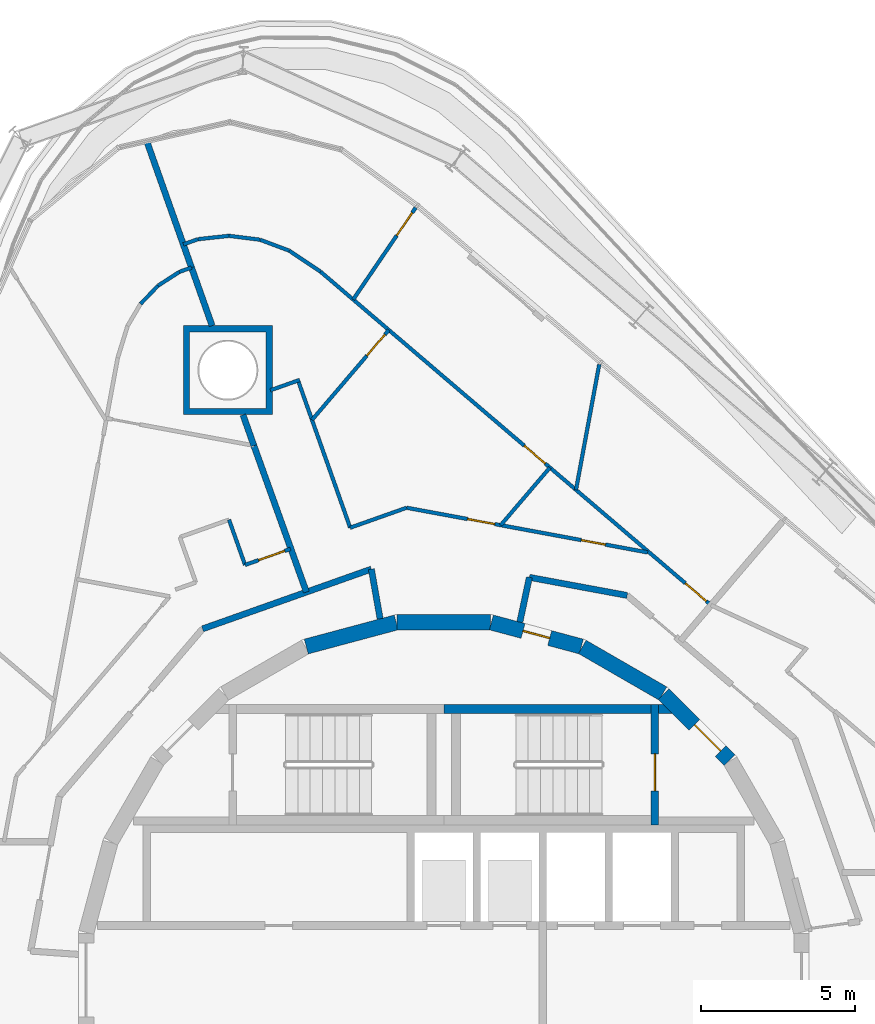
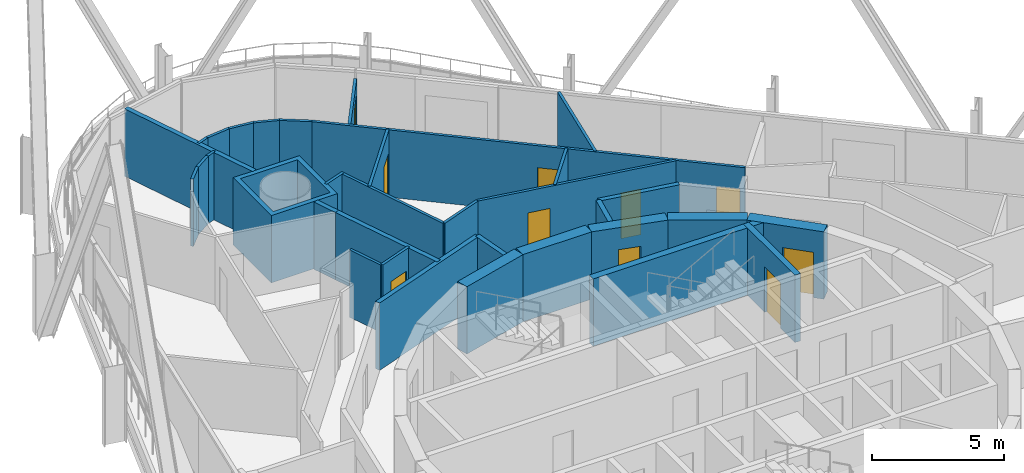
# One storey, part 15 of 25: 36 walls, 10 doors, 10 openings.
"""IFC4 building model written with IfcOpenShell, lengths in metres."""

from ifc_helpers import new_model, si_unit, direction, frame, frame_2d, origin, place, context, subcontext, project, spatial, polyline, rectangle, outline, extrude, material, layer, layer_set, type_object, element, fill, save


model = new_model("IFC4")

# Units and contexts
model_context = context("Model", 3, precision=1e-05, world=origin(), true_north=direction((0.0, 1.0)))
body_context = subcontext(model_context, "Body", "Model", "MODEL_VIEW")
ifc_project = project(units=[si_unit("LENGTHUNIT", "METRE"), si_unit("AREAUNIT", "SQUARE_METRE"), si_unit("VOLUMEUNIT", "CUBIC_METRE"), si_unit("PLANEANGLEUNIT", "RADIAN"), si_unit("MASSUNIT", "GRAM", prefix="KILO")], contexts=[model_context])

# Site, building, storey
site_placement = place(None, origin())
site = spatial("IfcSite", under=ifc_project, at=site_placement, CompositionType="ELEMENT")
building_placement = place(site_placement, origin())
building = spatial("IfcBuilding", under=site, at=building_placement, Name="Spindle Arch Residences", CompositionType="ELEMENT")
storey_placement = place(building_placement, frame((0.0, 0.0, 151.699951171875)))
storey = spatial("IfcBuildingStorey", under=building, at=storey_placement, Name="L37", CompositionType="ELEMENT", Elevation=151.699951171875)

# Wall, opening, door
ifc_material_1 = material(Name="Concrete C50/60", Category="concrete")
ifc_layer_1 = layer(ifc_material_1, 0.5)
ifc_layer_set_1 = layer_set([ifc_layer_1], Name="Core outline wall 500")
wall_type_1 = type_object("IfcWallType", Name="Core outline wall 500", PredefinedType="SHEAR", material=ifc_layer_set_1)
wall_1_placement = place(storey_placement, frame((9.30810546875, 7.163818359375, 0.0), z_axis=(0.0, 0.0, 1.0), x_axis=(-0.707106781187, 0.707106781187, 0.0)))
wall_1 = element("IfcWall", 1, at=wall_1_placement, inside=storey, type_object=wall_type_1, Name="Core outline wall 9", PredefinedType="SHEAR", context=body_context, shape_type="SweptSolid", body=[
    extrude(rectangle(XDim=3.032470703125, YDim=0.5, at=frame_2d((1.51611328125, 0.0))), origin(), (0.0, 0.0, 1.0), 3.1201171875),
])
opening_1_placement = place(wall_1_placement, frame((0.416259765625, 0.0, 0.0)))
opening_1 = element("IfcOpeningElement", 2, at=opening_1_placement, cuts=wall_1, Name="Opening R4A0-AD01", PredefinedType="OPENING", context=body_context, shape_type="SweptSolid", body=[
    extrude(rectangle(XDim=1.199951171875, YDim=2.10009765625, at=frame_2d((0.60009765625, 1.050048828125))), frame((0.0, 0.260009765625, 0.0), z_axis=(0.0, -1.0, 0.0), x_axis=(1.0, 0.0, 0.0)), (0.0, 0.0, 1.0), 0.52001953125),
])
ifc_material_2 = material(Name="Steel, fire-resisting door", Category="steel")
door_type_1 = type_object("IfcDoorType", Name="Stair airlock door 1200x2100", OperationType="SINGLE_SWING_LEFT", PredefinedType="DOOR", material=ifc_material_2)
door_1_placement = place(opening_1_placement, origin())
door_1 = element("IfcDoor", 3, at=door_1_placement, inside=storey, type_object=door_type_1, Name="Stair airlock door R4A0-AD01", OperationType="SINGLE_SWING_RIGHT", OverallHeight=2.10009765625, OverallWidth=1.199951171875, PredefinedType="DOOR", context=body_context, shape_type="SweptSolid", body=[
    extrude(rectangle(XDim=1.199951171875, YDim=2.10009765625, at=frame_2d((0.60009765625, 1.050048828125))), frame((0.0, 0.02490234375, 0.0), z_axis=(0.0, -1.0, 0.0), x_axis=(1.0, 0.0, 0.0)), (0.0, 0.0, 1.0), 0.050048828125),
])
fill(opening_1, door_1)

# Wall
wall_2_placement = place(storey_placement, frame((7.13671875, 9.32861328125, 0.0), z_axis=(0.0, 0.0, 1.0), x_axis=(-0.865975092491, 0.500087131594, 0.0)))
element("IfcWall", 4, at=wall_2_placement, inside=storey, type_object=wall_type_1, Name="Core outline wall 10", PredefinedType="SHEAR", context=body_context, shape_type="SweptSolid", body=[
    extrude(rectangle(XDim=3.03271484375, YDim=0.5, at=frame_2d((1.516357421875, 0.0))), origin(), (0.0, 0.0, 1.0), 3.1201171875),
])

# Wall, opening, door
wall_3_placement = place(storey_placement, frame((4.479248046875, 10.858154296875, 0.0), z_axis=(0.0, 0.0, 1.0), x_axis=(-0.965948410781, 0.258734743916, 0.0)))
wall_3 = element("IfcWall", 5, at=wall_3_placement, inside=storey, type_object=wall_type_1, Name="Core outline wall 11", PredefinedType="SHEAR", context=body_context, shape_type="SweptSolid", body=[
    extrude(rectangle(XDim=3.03271484375, YDim=0.5, at=frame_2d((1.516357421875, 0.0))), origin(), (0.0, 0.0, 1.0), 3.1201171875),
])
opening_2_placement = place(wall_3_placement, frame((1.066162109375, 0.0, 0.0)))
opening_2 = element("IfcOpeningElement", 6, at=opening_2_placement, cuts=wall_3, Name="Opening R4A0-WD11", PredefinedType="OPENING", context=body_context, shape_type="SweptSolid", body=[
    extrude(rectangle(XDim=0.89990234375, YDim=2.10009765625, at=frame_2d((0.449951171875, 1.050048828125))), frame((0.0, 0.260009765625, 0.0), z_axis=(0.0, -1.0, 0.0), x_axis=(1.0, 0.0, 0.0)), (0.0, 0.0, 1.0), 0.52001953125),
])
ifc_material_3 = material(Name="Steel, fire-resisting door", Category="steel")
door_type_2 = type_object("IfcDoorType", Name="Service room door 900x2100", OperationType="SINGLE_SWING_LEFT", PredefinedType="DOOR", material=ifc_material_3)
door_2_placement = place(opening_2_placement, origin())
door_2 = element("IfcDoor", 7, at=door_2_placement, inside=storey, type_object=door_type_2, Name="Service room door R4A0-WD11", OperationType="SINGLE_SWING_LEFT", OverallHeight=2.10009765625, OverallWidth=0.89990234375, PredefinedType="DOOR", context=body_context, shape_type="SweptSolid", body=[
    extrude(rectangle(XDim=0.89990234375, YDim=2.10009765625, at=frame_2d((0.449951171875, 1.050048828125))), frame((0.0, 0.02490234375, 0.0), z_axis=(0.0, -1.0, 0.0), x_axis=(1.0, 0.0, 0.0)), (0.0, 0.0, 1.0), 0.050048828125),
])
fill(opening_2, door_2)

# Walls
for number, where, z_axis, x_axis, name in (
    (8, (1.516357421875, 11.647216796875, 0.0), (0.0, 0.0, 1.0), (-1.0, 0.0, 0.0), "Core outline wall 12"),
    (9, (-1.5498046875, 11.642822265625, 0.0), (0.0, 0.0, 1.0), (-0.965948410781, -0.258734743916, 0.0), "Core outline wall 13"),
):
    element("IfcWall", number, at=place(storey_placement, frame(where, z_axis=z_axis, x_axis=x_axis)), inside=storey, type_object=wall_type_1, Name=name, PredefinedType="SHEAR", context=body_context, shape_type="SweptSolid", body=[
        extrude(rectangle(XDim=3.03271484375, YDim=0.5, at=frame_2d((1.516357421875, 0.0))), origin(), (0.0, 0.0, 1.0), 3.1201171875),
    ])
ifc_material_4 = material(Name="Calcium silicate block, plastered")
ifc_layer_2 = layer(ifc_material_4, 0.199951171875)
ifc_layer_set_2 = layer_set([ifc_layer_2], Name="Corridor wall 200")
wall_type_2 = type_object("IfcWallType", Name="Corridor wall 200", PredefinedType="STANDARD", material=ifc_layer_set_2)
wall_4_placement = place(storey_placement, frame((5.972412109375, 12.521240234375, 0.0), z_axis=(0.0, 0.0, 1.0), x_axis=(-0.983243002308, 0.182299748799, 0.0)))
element("IfcWall", 10, at=wall_4_placement, inside=storey, type_object=wall_type_2, Name="Corridor wall R4A0-W005", PredefinedType="STANDARD", context=body_context, shape_type="SweptSolid", body=[
    extrude(rectangle(XDim=3.239501953125, YDim=0.199951171875, at=frame_2d((1.61962890625, 0.0))), origin(), (0.0, 0.0, 1.0), 3.1201171875),
])
wall_5_placement = place(storey_placement, frame((2.787109375, 13.11181640625, 0.0), z_axis=(0.0, 0.0, 1.0), x_axis=(-0.207941001029, -0.978141370197, 0.0)))
element("IfcWall", 11, at=wall_5_placement, inside=storey, type_object=wall_type_2, Name="Corridor wall R4A0-W006", PredefinedType="STANDARD", context=body_context, shape_type="SweptSolid", body=[
    extrude(rectangle(XDim=1.4912109375, YDim=0.199951171875, at=frame_2d((0.74560546875, 0.0))), origin(), (0.0, 0.0, 1.0), 3.1201171875),
])
wall_6_placement = place(storey_placement, frame((-2.07373046875, 11.76123046875, 0.0), z_axis=(0.0, 0.0, 1.0), x_axis=(-0.1736412798, 0.984808969267, 0.0)))
element("IfcWall", 12, at=wall_6_placement, inside=storey, type_object=wall_type_2, Name="Corridor wall R4A0-W009", PredefinedType="STANDARD", context=body_context, shape_type="SweptSolid", body=[
    extrude(rectangle(XDim=1.6435546875, YDim=0.199951171875, at=frame_2d((0.82177734375, 0.0))), origin(), (0.0, 0.0, 1.0), 3.1201171875),
])
wall_7_placement = place(storey_placement, frame((-2.359130859375, 13.3798828125, 0.0), z_axis=(0.0, 0.0, 1.0), x_axis=(-0.942647529236, -0.333789807551, 0.0)))
element("IfcWall", 13, at=wall_7_placement, inside=storey, type_object=wall_type_2, Name="Corridor wall R4A0-W010", PredefinedType="STANDARD", context=body_context, shape_type="SweptSolid", body=[
    extrude(rectangle(XDim=5.8330078125, YDim=0.199951171875, at=frame_2d((2.91650390625, 0.0))), origin(), (0.0, 0.0, 1.0), 3.1201171875),
])

# Wall, openings, doors
ifc_material_5 = material(Name="Plasterboard on steel studs", Category="steel")
ifc_layer_3 = layer(ifc_material_5, 0.1201171875)
ifc_layer_set_3 = layer_set([ifc_layer_3], Name="Flat partition 120")
wall_type_3 = type_object("IfcWallType", Name="Flat partition 120", PredefinedType="PARTITIONING", material=ifc_layer_set_3)
wall_8_placement = place(storey_placement, frame((8.701904296875, 12.205810546875, 0.0), z_axis=(0.0, 0.0, 1.0), x_axis=(-0.760401313718, 0.649453494945, 0.0)))
wall_8 = element("IfcWall", 14, at=wall_8_placement, inside=storey, type_object=wall_type_3, Name="Flat partition R4A0-W054", PredefinedType="PARTITIONING", context=body_context, shape_type="SweptSolid", body=[
    extrude(rectangle(XDim=16.723876953125, YDim=0.1201171875, at=frame_2d((8.36181640625, 0.0))), origin(), (0.0, 0.0, 1.0), 3.1201171875),
])
opening_3_placement = place(wall_8_placement, frame((0.199951171875, 0.0, 0.0)))
opening_3 = element("IfcOpeningElement", 15, at=opening_3_placement, cuts=wall_8, Name="Opening R4A0-ID06", PredefinedType="OPENING", context=body_context, shape_type="SweptSolid", body=[
    extrude(rectangle(XDim=0.89990234375, YDim=2.10009765625, at=frame_2d((0.449951171875, 1.050048828125))), frame((0.0, 0.070068359375, 0.0), z_axis=(0.0, -1.0, 0.0), x_axis=(1.0, 0.0, 0.0)), (0.0, 0.0, 1.0), 0.14013671875),
])
opening_4_placement = place(wall_8_placement, frame((7.09912109375, 0.0, 0.0)))
opening_4 = element("IfcOpeningElement", 16, at=opening_4_placement, cuts=wall_8, Name="Opening R4A0-ID08", PredefinedType="OPENING", context=body_context, shape_type="SweptSolid", body=[
    extrude(rectangle(XDim=0.89990234375, YDim=2.10009765625, at=frame_2d((0.449951171875, 1.050048828125))), frame((0.0, 0.070068359375, 0.0), z_axis=(0.0, -1.0, 0.0), x_axis=(1.0, 0.0, 0.0)), (0.0, 0.0, 1.0), 0.14013671875),
])
ifc_material_6 = material(Name="Timber door set", Category="wood")
door_type_3 = type_object("IfcDoorType", Name="Room door 900x2100", OperationType="NOTDEFINED", PredefinedType="DOOR", material=ifc_material_6)
door_3_placement = place(opening_3_placement, origin())
door_3 = element("IfcDoor", 17, at=door_3_placement, inside=storey, type_object=door_type_3, Name="Room door R4A0-ID06", OperationType="SINGLE_SWING_RIGHT", OverallHeight=2.10009765625, OverallWidth=0.89990234375, PredefinedType="DOOR", context=body_context, shape_type="SweptSolid", body=[
    extrude(rectangle(XDim=0.89990234375, YDim=2.10009765625, at=frame_2d((0.449951171875, 1.050048828125))), frame((0.0, 0.02490234375, 0.0), z_axis=(0.0, -1.0, 0.0), x_axis=(1.0, 0.0, 0.0)), (0.0, 0.0, 1.0), 0.050048828125),
])
fill(opening_3, door_3)
door_4_placement = place(opening_4_placement, origin())
door_4 = element("IfcDoor", 18, at=door_4_placement, inside=storey, type_object=door_type_3, Name="Room door R4A0-ID08", OperationType="SINGLE_SWING_RIGHT", OverallHeight=2.10009765625, OverallWidth=0.89990234375, PredefinedType="DOOR", context=body_context, shape_type="SweptSolid", body=[
    extrude(rectangle(XDim=0.89990234375, YDim=2.10009765625, at=frame_2d((0.449951171875, 1.050048828125))), frame((0.0, 0.02490234375, 0.0), z_axis=(0.0, -1.0, 0.0), x_axis=(1.0, 0.0, 0.0)), (0.0, 0.0, 1.0), 0.050048828125),
])
fill(opening_4, door_4)

wall_9_placement = place(storey_placement, frame((6.640869140625, 13.9228515625, 0.0), z_axis=(0.0, 0.0, 1.0), x_axis=(-0.983250157272, 0.182261153912, 0.0)))
wall_9 = element("IfcWall", 19, at=wall_9_placement, inside=storey, type_object=wall_type_3, Name="Flat partition R4A0-W055", PredefinedType="PARTITIONING", context=body_context, shape_type="SweptSolid", body=[
    extrude(rectangle(XDim=7.98486328125, YDim=0.1201171875, at=frame_2d((3.992431640625, 0.0))), origin(), (0.0, 0.0, 1.0), 3.1201171875),
])
opening_5_placement = place(wall_9_placement, frame((1.39990234375, 0.0, 0.0)))
opening_5 = element("IfcOpeningElement", 20, at=opening_5_placement, cuts=wall_9, Name="Opening R4A0-BD02", PredefinedType="OPENING", context=body_context, shape_type="SweptSolid", body=[
    extrude(rectangle(XDim=0.800048828125, YDim=2.10009765625, at=frame_2d((0.39990234375, 1.050048828125))), frame((0.0, 0.070068359375, 0.0), z_axis=(0.0, -1.0, 0.0), x_axis=(1.0, 0.0, 0.0)), (0.0, 0.0, 1.0), 0.14013671875),
])
opening_6_placement = place(wall_9_placement, frame((5.06884765625, 0.0, 0.0)))
opening_6 = element("IfcOpeningElement", 21, at=opening_6_placement, cuts=wall_9, Name="Opening R4A0-ID07", PredefinedType="OPENING", context=body_context, shape_type="SweptSolid", body=[
    extrude(rectangle(XDim=0.89990234375, YDim=2.10009765625, at=frame_2d((0.449951171875, 1.050048828125))), frame((0.0, 0.070068359375, 0.0), z_axis=(0.0, -1.0, 0.0), x_axis=(1.0, 0.0, 0.0)), (0.0, 0.0, 1.0), 0.14013671875),
])
ifc_material_7 = material(Name="Timber door set", Category="wood")
door_type_4 = type_object("IfcDoorType", Name="Bathroom door 800x2100", OperationType="NOTDEFINED", PredefinedType="DOOR", material=ifc_material_7)
door_5_placement = place(opening_5_placement, origin())
door_5 = element("IfcDoor", 22, at=door_5_placement, inside=storey, type_object=door_type_4, Name="Bathroom door R4A0-BD02", OperationType="SINGLE_SWING_RIGHT", OverallHeight=2.10009765625, OverallWidth=0.800048828125, PredefinedType="DOOR", context=body_context, shape_type="SweptSolid", body=[
    extrude(rectangle(XDim=0.800048828125, YDim=2.10009765625, at=frame_2d((0.39990234375, 1.050048828125))), frame((0.0, 0.02490234375, 0.0), z_axis=(0.0, -1.0, 0.0), x_axis=(1.0, 0.0, 0.0)), (0.0, 0.0, 1.0), 0.050048828125),
])
fill(opening_5, door_5)
door_6_placement = place(opening_6_placement, origin())
door_6 = element("IfcDoor", 23, at=door_6_placement, inside=storey, type_object=door_type_3, Name="Room door R4A0-ID07", OperationType="SINGLE_SWING_RIGHT", OverallHeight=2.10009765625, OverallWidth=0.89990234375, PredefinedType="DOOR", context=body_context, shape_type="SweptSolid", body=[
    extrude(rectangle(XDim=0.89990234375, YDim=2.10009765625, at=frame_2d((0.449951171875, 1.050048828125))), frame((0.0, 0.02490234375, 0.0), z_axis=(0.0, -1.0, 0.0), x_axis=(1.0, 0.0, 0.0)), (0.0, 0.0, 1.0), 0.050048828125),
])
fill(opening_6, door_6)

# Walls
wall_10_placement = place(storey_placement, frame((-1.210205078125, 15.378173828125, 0.0), z_axis=(0.0, 0.0, 1.0), x_axis=(-0.942633792474, -0.333828598663, 0.0)))
element("IfcWall", 24, at=wall_10_placement, inside=storey, type_object=wall_type_3, Name="Flat partition R4A0-W056", PredefinedType="PARTITIONING", context=body_context, shape_type="SweptSolid", body=[
    extrude(rectangle(XDim=1.94970703125, YDim=0.1201171875, at=frame_2d((0.974853515625, 0.0))), origin(), (0.0, 0.0, 1.0), 3.1201171875),
])
wall_11_placement = place(storey_placement, frame((-3.048095703125, 14.727294921875, 0.0), z_axis=(0.0, 0.0, 1.0), x_axis=(-0.333811603187, 0.942639811157, 0.0)))
element("IfcWall", 25, at=wall_11_placement, inside=storey, type_object=wall_type_3, Name="Flat partition R4A0-W057", PredefinedType="PARTITIONING", context=body_context, shape_type="SweptSolid", body=[
    extrude(rectangle(XDim=5.086669921875, YDim=0.1201171875, at=frame_2d((2.54345703125, 0.0))), origin(), (0.0, 0.0, 1.0), 3.1201171875),
])
wall_12_placement = place(storey_placement, frame((-4.689453125, 19.5419921875, 0.0), z_axis=(0.0, 0.0, 1.0), x_axis=(-0.942661851862, -0.33374935662, 0.0)))
element("IfcWall", 26, at=wall_12_placement, inside=storey, type_object=wall_type_3, Name="Flat partition R4A0-W058", PredefinedType="PARTITIONING", context=body_context, shape_type="SweptSolid", body=[
    extrude(rectangle(XDim=1.016845703125, YDim=0.1201171875, at=frame_2d((0.50830078125, 0.0))), origin(), (0.0, 0.0, 1.0), 3.1201171875),
])
wall_13_placement = place(storey_placement, frame((5.063232421875, 20.048095703125, 0.0), z_axis=(0.0, 0.0, 1.0), x_axis=(-0.182238575099, -0.983254342348, 0.0)))
element("IfcWall", 27, at=wall_13_placement, inside=storey, type_object=wall_type_3, Name="Flat partition R4A0-W059", PredefinedType="PARTITIONING", context=body_context, shape_type="SweptSolid", body=[
    extrude(rectangle(XDim=4.156982421875, YDim=0.1201171875, at=frame_2d((2.07861328125, 0.0))), origin(), (0.0, 0.0, 1.0), 3.1201171875),
])
wall_14_placement = place(storey_placement, frame((3.455810546875, 16.686279296875, 0.0), z_axis=(0.0, 0.0, 1.0), x_axis=(-0.649462010463, -0.760394040591, 0.0)))
element("IfcWall", 28, at=wall_14_placement, inside=storey, type_object=wall_type_3, Name="Flat partition R4A0-W060", PredefinedType="PARTITIONING", context=body_context, shape_type="SweptSolid", body=[
    extrude(rectangle(XDim=2.467041015625, YDim=0.1201171875, at=frame_2d((1.2333984375, 0.0))), origin(), (0.0, 0.0, 1.0), 3.1201171875),
])

# Wall, opening, door
wall_15_placement = place(storey_placement, frame((-1.790283203125, 21.1669921875, 0.0), z_axis=(0.0, 0.0, 1.0), x_axis=(-0.649427819186, -0.760423242456, 0.0)))
wall_15 = element("IfcWall", 29, at=wall_15_placement, inside=storey, type_object=wall_type_3, Name="Flat partition R4A0-W062", PredefinedType="PARTITIONING", context=body_context, shape_type="SweptSolid", body=[
    extrude(rectangle(XDim=3.851318359375, YDim=0.1201171875, at=frame_2d((1.92578125, 0.0))), origin(), (0.0, 0.0, 1.0), 3.1201171875),
])
opening_7_placement = place(wall_15_placement, frame((0.199951171875, 0.0, 0.0)))
opening_7 = element("IfcOpeningElement", 30, at=opening_7_placement, cuts=wall_15, Name="Opening R4A0-ID09", PredefinedType="OPENING", context=body_context, shape_type="SweptSolid", body=[
    extrude(rectangle(XDim=0.89990234375, YDim=2.10009765625, at=frame_2d((0.449951171875, 1.050048828125))), frame((0.0, 0.070068359375, 0.0), z_axis=(0.0, -1.0, 0.0), x_axis=(1.0, 0.0, 0.0)), (0.0, 0.0, 1.0), 0.14013671875),
])
door_7_placement = place(opening_7_placement, origin())
door_7 = element("IfcDoor", 31, at=door_7_placement, inside=storey, type_object=door_type_3, Name="Room door R4A0-ID09", OperationType="SINGLE_SWING_RIGHT", OverallHeight=2.10009765625, OverallWidth=0.89990234375, PredefinedType="DOOR", context=body_context, shape_type="SweptSolid", body=[
    extrude(rectangle(XDim=0.89990234375, YDim=2.10009765625, at=frame_2d((0.449951171875, 1.050048828125))), frame((0.0, 0.02490234375, 0.0), z_axis=(0.0, -1.0, 0.0), x_axis=(1.0, 0.0, 0.0)), (0.0, 0.0, 1.0), 0.050048828125),
])
fill(opening_7, door_7)

# Walls
wall_16_placement = place(storey_placement, frame((-8.482666015625, 23.9541015625, 0.0), z_axis=(0.0, 0.0, 1.0), x_axis=(0.942554725445, 0.334051776738, 0.0)))
element("IfcWall", 32, at=wall_16_placement, inside=storey, type_object=wall_type_3, Name="Flat partition R4A0-W063", PredefinedType="PARTITIONING", context=body_context, shape_type="SweptSolid", body=[
    extrude(rectangle(XDim=0.508056640625, YDim=0.1201171875, at=frame_2d((0.25390625, 0.0))), origin(), (0.0, 0.0, 1.0), 3.1201171875),
])
wall_17_placement = place(storey_placement, frame((-8.00390625, 24.123779296875, 0.0), z_axis=(0.0, 0.0, 1.0), x_axis=(0.994216064839, 0.107398400431, 0.0)))
element("IfcWall", 33, at=wall_17_placement, inside=storey, type_object=wall_type_3, Name="Flat partition R4A0-W064", PredefinedType="PARTITIONING", context=body_context, shape_type="SweptSolid", body=[
    extrude(rectangle(XDim=1.01611328125, YDim=0.1201171875, at=frame_2d((0.508056640625, 0.0))), origin(), (0.0, 0.0, 1.0), 3.1201171875),
])
wall_18_placement = place(storey_placement, frame((-6.99365234375, 24.23291015625, 0.0), z_axis=(0.0, 0.0, 1.0), x_axis=(0.992188875952, -0.124744676991, 0.0)))
element("IfcWall", 34, at=wall_18_placement, inside=storey, type_object=wall_type_3, Name="Flat partition R4A0-W065", PredefinedType="PARTITIONING", context=body_context, shape_type="SweptSolid", body=[
    extrude(rectangle(XDim=1.015625, YDim=0.1201171875, at=frame_2d((0.5078125, 0.0))), origin(), (0.0, 0.0, 1.0), 3.1201171875),
])
wall_19_placement = place(storey_placement, frame((-5.98583984375, 24.106201171875, 0.0), z_axis=(0.0, 0.0, 1.0), x_axis=(0.936625084254, -0.350333343469, 0.0)))
element("IfcWall", 35, at=wall_19_placement, inside=storey, type_object=wall_type_3, Name="Flat partition R4A0-W066", PredefinedType="PARTITIONING", context=body_context, shape_type="SweptSolid", body=[
    extrude(rectangle(XDim=1.01611328125, YDim=0.1201171875, at=frame_2d((0.508056640625, 0.0))), origin(), (0.0, 0.0, 1.0), 3.1201171875),
])
wall_20_placement = place(storey_placement, frame((-5.0341796875, 23.750244140625, 0.0), z_axis=(0.0, 0.0, 1.0), x_axis=(0.83070096574, -0.556718874764, 0.0)))
element("IfcWall", 36, at=wall_20_placement, inside=storey, type_object=wall_type_3, Name="Flat partition R4A0-W067", PredefinedType="PARTITIONING", context=body_context, shape_type="SweptSolid", body=[
    extrude(rectangle(XDim=1.22705078125, YDim=0.1201171875, at=frame_2d((0.613525390625, 0.0))), origin(), (0.0, 0.0, 1.0), 3.1201171875),
])

# Wall, opening, door
wall_21_placement = place(storey_placement, frame((-4.993408203125, 14.038330078125, 0.0), z_axis=(0.0, 0.0, 1.0), x_axis=(-0.942685371668, -0.333682918418, 0.0)))
wall_21 = element("IfcWall", 37, at=wall_21_placement, inside=storey, type_object=wall_type_3, Name="Flat partition R4A0-W068", PredefinedType="PARTITIONING", context=body_context, shape_type="SweptSolid", body=[
    extrude(rectangle(XDim=1.568603515625, YDim=0.1201171875, at=frame_2d((0.7841796875, 0.0))), origin(), (0.0, 0.0, 1.0), 3.1201171875),
])
opening_8_placement = place(wall_21_placement, frame((0.199951171875, 0.0, 0.0)))
opening_8 = element("IfcOpeningElement", 38, at=opening_8_placement, cuts=wall_21, Name="Opening R4A0-ID11", PredefinedType="OPENING", context=body_context, shape_type="SweptSolid", body=[
    extrude(rectangle(XDim=0.89990234375, YDim=2.10009765625, at=frame_2d((0.449951171875, 1.050048828125))), frame((0.0, 0.070068359375, 0.0), z_axis=(0.0, -1.0, 0.0), x_axis=(1.0, 0.0, 0.0)), (0.0, 0.0, 1.0), 0.14013671875),
])
door_8_placement = place(opening_8_placement, origin())
door_8 = element("IfcDoor", 39, at=door_8_placement, inside=storey, type_object=door_type_3, Name="Room door R4A0-ID11", OperationType="SINGLE_SWING_LEFT", OverallHeight=2.10009765625, OverallWidth=0.89990234375, PredefinedType="DOOR", context=body_context, shape_type="SweptSolid", body=[
    extrude(rectangle(XDim=0.89990234375, YDim=2.10009765625, at=frame_2d((0.449951171875, 1.050048828125))), frame((0.0, 0.02490234375, 0.0), z_axis=(0.0, -1.0, 0.0), x_axis=(1.0, 0.0, 0.0)), (0.0, 0.0, 1.0), 0.050048828125),
])
fill(opening_8, door_8)

# Walls
wall_22_placement = place(storey_placement, frame((-6.47216796875, 13.514892578125, 0.0), z_axis=(0.0, 0.0, 1.0), x_axis=(-0.333809516424, 0.942640550127, 0.0)))
element("IfcWall", 40, at=wall_22_placement, inside=storey, type_object=wall_type_3, Name="Flat partition R4A0-W069", PredefinedType="PARTITIONING", context=body_context, shape_type="SweptSolid", body=[
    extrude(rectangle(XDim=1.5615234375, YDim=0.1201171875, at=frame_2d((0.78076171875, 0.0))), origin(), (0.0, 0.0, 1.0), 3.1201171875),
])
wall_23_placement = place(storey_placement, frame((-8.215576171875, 23.2001953125, 0.0), z_axis=(0.0, 0.0, 1.0), x_axis=(-0.942565413363, -0.33402161836, 0.0)))
element("IfcWall", 41, at=wall_23_placement, inside=storey, type_object=wall_type_3, Name="Flat partition R4A0-W075", PredefinedType="PARTITIONING", context=body_context, shape_type="SweptSolid", body=[
    extrude(rectangle(XDim=0.414306640625, YDim=0.1201171875, at=frame_2d((0.20703125, 0.0))), origin(), (0.0, 0.0, 1.0), 3.1201171875),
])
for number, where, z_axis, x_axis, name in (
    (42, (-8.606201171875, 23.061767578125, 0.0), (0.0, 0.0, 1.0), (-0.840249037985, -0.542200658581, 0.0), "Flat partition R4A0-W076"),
    (43, (-9.302734375, 22.6123046875, 0.0), (0.0, 0.0, 1.0), (-0.692525696474, -0.721393207428, 0.0), "Flat partition R4A0-W077"),
):
    element("IfcWall", number, at=place(storey_placement, frame(where, z_axis=z_axis, x_axis=x_axis)), inside=storey, type_object=wall_type_3, Name=name, PredefinedType="PARTITIONING", context=body_context, shape_type="SweptSolid", body=[
        extrude(rectangle(XDim=0.828857421875, YDim=0.1201171875, at=frame_2d((0.41455078125, 0.0))), origin(), (0.0, 0.0, 1.0), 3.1201171875),
    ])

# Wall, opening, door
ifc_material_8 = material(Name="Plasterboard on steel studs", Category="steel")
ifc_layer_4 = layer(ifc_material_8, 0.1201171875)
ifc_layer_set_4 = layer_set([ifc_layer_4], Name="Flat partition 120 under beam 2730")
wall_type_4 = type_object("IfcWallType", Name="Flat partition 120 under beam 2730", PredefinedType="PARTITIONING", material=ifc_layer_set_4)
wall_24_placement = place(storey_placement, frame((-0.913818359375, 25.152587890625, 0.0), z_axis=(0.0, 0.0, 1.0), x_axis=(-0.56264004133, -0.826701992191, 0.0)))
wall_24 = element("IfcWall", 44, at=wall_24_placement, inside=storey, type_object=wall_type_4, Name="Flat partition R4A0-W061", PredefinedType="PARTITIONING", context=body_context, shape_type="SweptSolid", body=[
    extrude(rectangle(XDim=3.62158203125, YDim=0.1201171875, at=frame_2d((1.810791015625, 0.0))), origin(), (0.0, 0.0, 1.0), 2.72998046875),
])
opening_9_placement = place(wall_24_placement, frame((0.199951171875, 0.0, 0.0)))
opening_9 = element("IfcOpeningElement", 45, at=opening_9_placement, cuts=wall_24, Name="Opening R4A0-ID10", PredefinedType="OPENING", context=body_context, shape_type="SweptSolid", body=[
    extrude(rectangle(XDim=0.89990234375, YDim=2.10009765625, at=frame_2d((0.449951171875, 1.050048828125))), frame((0.0, 0.070068359375, 0.0), z_axis=(0.0, -1.0, 0.0), x_axis=(1.0, 0.0, 0.0)), (0.0, 0.0, 1.0), 0.14013671875),
])
door_9_placement = place(opening_9_placement, origin())
door_9 = element("IfcDoor", 46, at=door_9_placement, inside=storey, type_object=door_type_3, Name="Room door R4A0-ID10", OperationType="SINGLE_SWING_RIGHT", OverallHeight=2.10009765625, OverallWidth=0.89990234375, PredefinedType="DOOR", context=body_context, shape_type="SweptSolid", body=[
    extrude(rectangle(XDim=0.89990234375, YDim=2.10009765625, at=frame_2d((0.449951171875, 1.050048828125))), frame((0.0, 0.02490234375, 0.0), z_axis=(0.0, -1.0, 0.0), x_axis=(1.0, 0.0, 0.0)), (0.0, 0.0, 1.0), 0.050048828125),
])
fill(opening_9, door_9)

# Walls
ifc_material_9 = material(Name="Calcium silicate block, plastered")
ifc_layer_5 = layer(ifc_material_9, 0.199951171875)
ifc_layer_set_5 = layer_set([ifc_layer_5], Name="Flat party wall 200")
wall_type_5 = type_object("IfcWallType", Name="Flat party wall 200", PredefinedType="STANDARD", material=ifc_layer_set_5)
wall_25_placement = place(storey_placement, frame((-6.1845703125, 17.401611328125, 0.0), z_axis=(0.0, 0.0, 1.0), x_axis=(0.337736730281, -0.941240618024, 0.0)))
element("IfcWall", 47, at=wall_25_placement, inside=storey, type_object=wall_type_5, Name="Flat party wall R4A0-W030", PredefinedType="STANDARD", context=body_context, shape_type="SweptSolid", body=[
    extrude(rectangle(XDim=5.068115234375, YDim=0.199951171875, at=frame_2d((2.5341796875, 0.0))), origin(), (0.0, 0.0, 1.0), 3.1201171875),
])
wall_26_placement = place(storey_placement, frame((-6.538818359375, 18.402587890625, 0.0), z_axis=(0.0, 0.0, 1.0), x_axis=(0.333625806098, -0.942705585804, 0.0)))
element("IfcWall", 48, at=wall_26_placement, inside=storey, type_object=wall_type_5, Name="Flat party wall R4A0-W031", PredefinedType="STANDARD", context=body_context, shape_type="SweptSolid", body=[
    extrude(rectangle(XDim=1.061767578125, YDim=0.199951171875, at=frame_2d((0.53076171875, 0.0))), origin(), (0.0, 0.0, 1.0), 3.1201171875),
])
wall_27_placement = place(storey_placement, frame((-9.684326171875, 27.34765625, 0.0), z_axis=(0.0, 0.0, 1.0), x_axis=(0.333818381408, -0.942637410797, 0.0)))
element("IfcWall", 49, at=wall_27_placement, inside=storey, type_object=wall_type_5, Name="Flat party wall R4A0-W032", PredefinedType="STANDARD", context=body_context, shape_type="SweptSolid", body=[
    extrude(rectangle(XDim=4.39990234375, YDim=0.199951171875, at=frame_2d((2.199951171875, 0.0))), origin(), (0.0, 0.0, 1.0), 3.1201171875),
])
wall_28_placement = place(storey_placement, frame((-8.215576171875, 23.2001953125, 0.0), z_axis=(0.0, 0.0, 1.0), x_axis=(0.333793117913, -0.942646357036, 0.0)))
element("IfcWall", 50, at=wall_28_placement, inside=storey, type_object=wall_type_5, Name="Flat party wall R4A0-W033", PredefinedType="STANDARD", context=body_context, shape_type="SweptSolid", body=[
    extrude(rectangle(XDim=2.0078125, YDim=0.199951171875, at=frame_2d((1.00390625, 0.0))), origin(), (0.0, 0.0, 1.0), 3.1201171875),
])
ifc_material_10 = material(Name="Calcium silicate block, plastered")
ifc_layer_6 = layer(ifc_material_10, 0.199951171875)
ifc_layer_set_6 = layer_set([ifc_layer_6], Name="Mega-column casing wall 200")
wall_type_6 = type_object("IfcWallType", Name="Mega-column casing wall 200", PredefinedType="STANDARD", material=ifc_layer_set_6)
wall_29_placement = place(storey_placement, origin())
element("IfcWall", 51, at=wall_29_placement, inside=storey, type_object=wall_type_6, Name="Mega-column casing wall R4A0-WC01", PredefinedType="STANDARD", context=body_context, shape_type="SweptSolid", body=[
    extrude(outline(polyline([(-5.581787109375, 21.3076171875), (-5.581787109375, 18.40771484375), (-8.48193359375, 18.40771484375), (-8.48193359375, 21.3076171875), (-5.581787109375, 21.3076171875)]), holes=[polyline([(-8.281982421875, 18.607666015625), (-5.781982421875, 18.607666015625), (-5.781982421875, 21.107666015625), (-8.281982421875, 21.107666015625), (-8.281982421875, 18.607666015625)])]), origin(), (0.0, 0.0, 1.0), 3.1201171875),
])
ifc_material_11 = material(Name="Concrete C40/50", Category="concrete")
wall_type_7 = type_object("IfcWallType", Name="Stair airlock wall profile", PredefinedType="SHEAR", material=ifc_material_11)
wall_30_placement = place(storey_placement, origin())
element("IfcWall", 52, at=wall_30_placement, inside=storey, type_object=wall_type_7, Name="Stair ST-1 airlock wall N", PredefinedType="SHEAR", context=body_context, shape_type="SweptSolid", body=[
    extrude(outline(polyline([(7.4482421875, 8.669921875), (7.0, 8.669921875), (7.0, 8.969970703125), (7.148193359375, 8.969970703125), (7.4482421875, 8.669921875)])), origin(), (0.0, 0.0, 1.0), 3.1201171875),
])

# Wall, opening, door
ifc_material_12 = material(Name="Concrete C50/60", Category="concrete")
ifc_layer_7 = layer(ifc_material_12, 0.25)
ifc_layer_set_7 = layer_set([ifc_layer_7], Name="Stair enclosure wall 250")
wall_type_8 = type_object("IfcWallType", Name="Stair enclosure wall 250", PredefinedType="SHEAR", material=ifc_layer_set_7)
wall_31_placement = place(storey_placement, frame((6.875, 5.050048828125, 0.0), z_axis=(0.0, 0.0, 1.0), x_axis=(0.0, 1.0, 0.0)))
wall_31 = element("IfcWall", 53, at=wall_31_placement, inside=storey, type_object=wall_type_8, Name="Stair ST-1 door wall", PredefinedType="SHEAR", context=body_context, shape_type="SweptSolid", body=[
    extrude(rectangle(XDim=3.919921875, YDim=0.25, at=frame_2d((1.9599609375, 0.0))), origin(), (0.0, 0.0, 1.0), 3.1201171875),
])
opening_10_placement = place(wall_31_placement, frame((1.110107421875, 0.0, 0.0)))
opening_10 = element("IfcOpeningElement", 54, at=opening_10_placement, cuts=wall_31, Name="Opening R4A0-SD01", PredefinedType="OPENING", context=body_context, shape_type="SweptSolid", body=[
    extrude(rectangle(XDim=1.199951171875, YDim=2.10009765625, at=frame_2d((0.60009765625, 1.050048828125))), frame((0.0, 0.135009765625, 0.0), z_axis=(0.0, -1.0, 0.0), x_axis=(1.0, 0.0, 0.0)), (0.0, 0.0, 1.0), 0.27001953125),
])
ifc_material_13 = material(Name="Steel, fire-resisting door", Category="steel")
door_type_5 = type_object("IfcDoorType", Name="Stair door 1200x2100", OperationType="SINGLE_SWING_RIGHT", PredefinedType="DOOR", material=ifc_material_13)
door_10_placement = place(opening_10_placement, origin())
door_10 = element("IfcDoor", 55, at=door_10_placement, inside=storey, type_object=door_type_5, Name="Stair door R4A0-SD01", OperationType="SINGLE_SWING_LEFT", OverallHeight=2.10009765625, OverallWidth=1.199951171875, PredefinedType="DOOR", context=body_context, shape_type="SweptSolid", body=[
    extrude(rectangle(XDim=1.199951171875, YDim=2.10009765625, at=frame_2d((0.60009765625, 1.050048828125))), frame((0.0, 0.02490234375, 0.0), z_axis=(0.0, -1.0, 0.0), x_axis=(1.0, 0.0, 0.0)), (0.0, 0.0, 1.0), 0.050048828125),
])
fill(opening_10, door_10)

# Wall
ifc_material_14 = material(Name="Concrete C50/60", Category="concrete")
ifc_layer_8 = layer(ifc_material_14, 0.300048828125)
ifc_layer_set_8 = layer_set([ifc_layer_8], Name="Stair enclosure wall 300")
wall_type_9 = type_object("IfcWallType", Name="Stair enclosure wall 300", PredefinedType="SHEAR", material=ifc_layer_set_8)
wall_32_placement = place(storey_placement, frame((0.0, 8.820068359375, 0.0), z_axis=(0.0, 0.0, 1.0), x_axis=(1.0, 0.0, 0.0)))
element("IfcWall", 56, at=wall_32_placement, inside=storey, type_object=wall_type_9, Name="Stair ST-1 enclosure wall N", PredefinedType="SHEAR", context=body_context, shape_type="SweptSolid", body=[
    extrude(rectangle(XDim=6.75, YDim=0.300048828125, at=frame_2d((3.375, 0.0))), origin(), (0.0, 0.0, 1.0), 3.1201171875),
])

save(model, "model.ifc")
